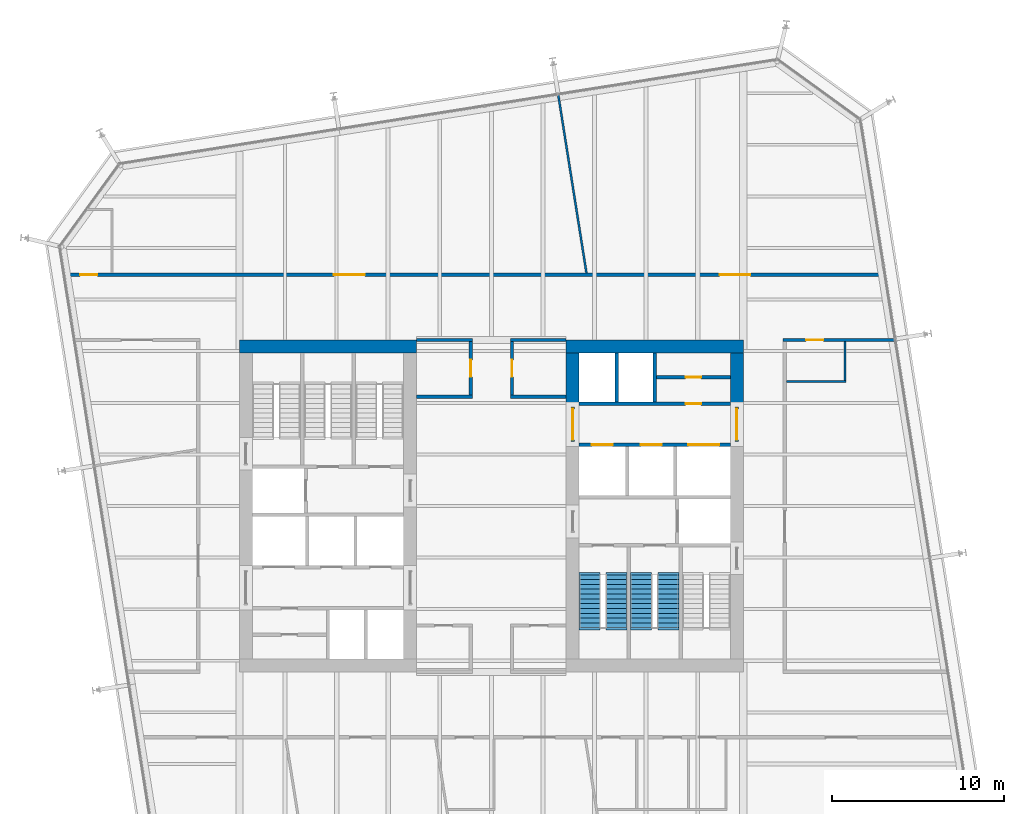
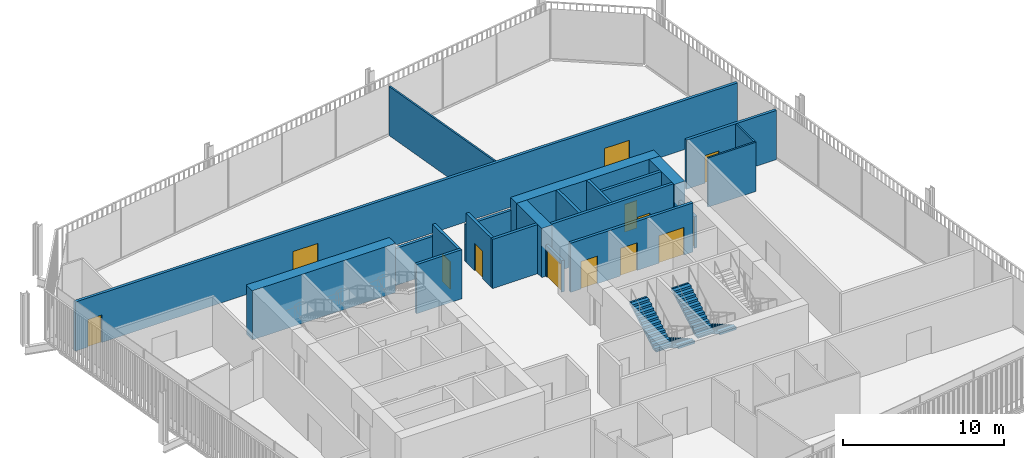
# One storey, part 19 of 21: 22 walls, 13 doors, 4 stair flights, 13 openings, 2 elements without a shape of their own.
"""IFC4 building model written with IfcOpenShell, lengths in metres."""

from ifc_helpers import new_model, si_unit, direction, frame, frame_2d, origin, place, context, subcontext, project, spatial, polyline, rectangle, outline, extrude, material, layer, layer_set, type_object, element, fill, aggregate, save


model = new_model("IFC4")

# Units and contexts
model_context = context("Model", 3, precision=1e-05, world=origin(), true_north=direction((0.0, 1.0)))
body_context = subcontext(model_context, "Body", "Model", "MODEL_VIEW")
ifc_project = project(units=[si_unit("LENGTHUNIT", "METRE"), si_unit("AREAUNIT", "SQUARE_METRE"), si_unit("VOLUMEUNIT", "CUBIC_METRE"), si_unit("PLANEANGLEUNIT", "RADIAN"), si_unit("MASSUNIT", "GRAM", prefix="KILO")], contexts=[model_context])

# Site, building, storey
site_placement = place(None, origin())
site = spatial("IfcSite", under=ifc_project, at=site_placement, CompositionType="ELEMENT")
building_placement = place(site_placement, origin())
building = spatial("IfcBuilding", under=site, at=building_placement, Name="Millrace Tower", CompositionType="ELEMENT")
storey_placement = place(building_placement, frame((0.0, 0.0, 149.0)))
storey = spatial("IfcBuildingStorey", under=building, at=storey_placement, Name="L33", CompositionType="ELEMENT", Elevation=149.0)

# Walls
ifc_material_1 = material(Name="Concrete C70", Category="concrete")
ifc_layer_1 = layer(ifc_material_1, 0.75)
ifc_layer_set_1 = layer_set([ifc_layer_1], Name="Concrete C70")
wall_type_1 = type_object("IfcWallType", Name="Core wall 750 Concrete C70", PredefinedType="SHEAR", material=ifc_layer_set_1)
for number, where, z_axis, x_axis, name in (
    (1, (-14.64990234375, 9.27490234375, 0.0), (0.0, 0.0, 1.0), (1.0, 0.0, 0.0), "Core wall W L33"),
    (2, (14.64990234375, 9.27490234375, 0.0), (0.0, 0.0, 1.0), (-1.0, 0.0, 0.0), "Core wall E L33"),
):
    element("IfcWall", number, at=place(storey_placement, frame(where, z_axis=z_axis, x_axis=x_axis)), inside=storey, type_object=wall_type_1, Name=name, PredefinedType="SHEAR", context=body_context, shape_type="SweptSolid", body=[
        extrude(rectangle(XDim=10.2998046875, YDim=0.75, at=frame_2d((5.14990234375, 0.0))), origin(), (0.0, 0.0, 1.0), 3.739990234375),
    ])
for number, where, z_axis, x_axis, name in (
    (3, (14.27490234375, 8.89990234375, 0.0), (0.0, 0.0, 1.0), (0.0, -1.0, 0.0), "Core wall E L33"),
    (4, (4.72509765625, 8.89990234375, 0.0), (0.0, 0.0, 1.0), (0.0, -1.0, 0.0), "Core wall E L33"),
):
    element("IfcWall", number, at=place(storey_placement, frame(where, z_axis=z_axis, x_axis=x_axis)), inside=storey, type_object=wall_type_1, Name=name, PredefinedType="SHEAR", context=body_context, shape_type="SweptSolid", body=[
        extrude(rectangle(XDim=3.14990234375, YDim=0.75, at=frame_2d((1.574951171875, 0.0))), origin(), (0.0, 0.0, 1.0), 3.739990234375),
    ])
ifc_material_2 = material(Name="Masonry partition, fire-rated", Category="masonry")
ifc_layer_2 = layer(ifc_material_2, 0.199951171875)
ifc_layer_set_2 = layer_set([ifc_layer_2], Name="Masonry partition, fire-rated")
wall_type_2 = type_object("IfcWallType", Name="Corridor wall 200", PredefinedType="PARTITIONING", material=ifc_layer_set_2)
for number, where, z_axis, x_axis, name in (
    (5, (-4.35009765625, 6.35009765625, 0.0), (0.0, 0.0, 1.0), (1.0, 0.0, 0.0), "Corridor wall L33"),
    (6, (1.10009765625, 6.35009765625, 0.0), (0.0, 0.0, 1.0), (1.0, 0.0, 0.0), "Corridor wall L33"),
):
    element("IfcWall", number, at=place(storey_placement, frame(where, z_axis=z_axis, x_axis=x_axis)), inside=storey, type_object=wall_type_2, Name=name, PredefinedType="PARTITIONING", context=body_context, shape_type="SweptSolid", body=[
        extrude(rectangle(XDim=3.25, YDim=0.199951171875, at=frame_2d((1.625, 0.0))), origin(), (0.0, 0.0, 1.0), 3.739990234375),
    ])
for number, where, z_axis, x_axis, name in (
    (7, (-4.35009765625, 9.64990234375, 0.0), (0.0, 0.0, 1.0), (1.0, 0.0, 0.0), "Corridor wall L33"),
    (8, (1.10009765625, 9.64990234375, 0.0), (0.0, 0.0, 1.0), (1.0, 0.0, 0.0), "Corridor wall L33"),
):
    element("IfcWall", number, at=place(storey_placement, frame(where, z_axis=z_axis, x_axis=x_axis)), inside=storey, type_object=wall_type_2, Name=name, PredefinedType="PARTITIONING", context=body_context, shape_type="SweptSolid", body=[
        extrude(rectangle(XDim=3.25, YDim=0.199951171875, at=frame_2d((1.625, 0.0))), origin(), (0.0, 0.0, 1.0), 2.81298828125),
    ])

# Wall, opening, door
wall_1_placement = place(storey_placement, frame((16.949951171875, 9.64990234375, 0.0), z_axis=(0.0, 0.0, 1.0), x_axis=(1.0, 0.0, 0.0)))
wall_1 = element("IfcWall", 9, at=wall_1_placement, inside=storey, type_object=wall_type_2, Name="Corridor wall L33", PredefinedType="PARTITIONING", context=body_context, shape_type="SweptSolid", body=[
    extrude(rectangle(XDim=6.489501953125, YDim=0.199951171875, at=frame_2d((3.24462890625, 0.0))), origin(), (0.0, 0.0, 1.0), 3.739990234375),
])
opening_1_placement = place(wall_1_placement, frame((1.35009765625, 0.0, 0.0)))
opening_1 = element("IfcOpeningElement", 10, at=opening_1_placement, cuts=wall_1, Name="Opening 33-P009", PredefinedType="OPENING", context=body_context, shape_type="SweptSolid", body=[
    extrude(rectangle(XDim=1.0, YDim=2.10009765625, at=frame_2d((0.5, 1.050048828125))), frame((0.0, 0.10986328125, 0.0), z_axis=(0.0, -1.0, 0.0), x_axis=(1.0, 0.0, 0.0)), (0.0, 0.0, 1.0), 0.219970703125),
])
ifc_material_3 = material(Name="Steel door set, fire-rated", Category="steel")
door_type_1 = type_object("IfcDoorType", Name="Corridor door 1000 x 2100", OperationType="SINGLE_SWING_LEFT", PredefinedType="DOOR", material=ifc_material_3)
door_1_placement = place(opening_1_placement, frame((1.0, 0.0, 0.0), z_axis=(0.0, 0.0, 1.0), x_axis=(-1.0, 0.0, 0.0)))
door_1 = element("IfcDoor", 11, at=door_1_placement, inside=storey, type_object=door_type_1, Name="Door 33-P009", OperationType="SINGLE_SWING_RIGHT", OverallHeight=2.10009765625, OverallWidth=1.0, PredefinedType="DOOR", context=body_context, shape_type="SweptSolid", body=[
    extrude(rectangle(XDim=1.0, YDim=2.10009765625, at=frame_2d((0.5, 1.050048828125))), frame((0.0, 0.02490234375, 0.0), z_axis=(0.0, -1.0, 0.0), x_axis=(1.0, 0.0, 0.0)), (0.0, 0.0, 1.0), 0.050048828125),
])
fill(opening_1, door_1)

# Wall, openings, doors
wall_2_placement = place(storey_placement, frame((-24.80908203125, 13.449951171875, 0.0), z_axis=(0.0, 0.0, 1.0), x_axis=(1.0, 0.0, 0.0)))
wall_2 = element("IfcWall", 12, at=wall_2_placement, inside=storey, type_object=wall_type_2, Name="Corridor wall L33", PredefinedType="PARTITIONING", context=body_context, shape_type="SweptSolid", body=[
    extrude(rectangle(XDim=47.646728515625, YDim=0.199951171875, at=frame_2d((23.8232421875, 0.0))), origin(), (0.0, 0.0, 1.0), 3.739990234375),
])
opening_2_placement = place(wall_2_placement, frame((15.652587890625, 0.0, 0.0)))
opening_2 = element("IfcOpeningElement", 13, at=opening_2_placement, cuts=wall_2, Name="Opening 33-P005", PredefinedType="OPENING", context=body_context, shape_type="SweptSolid", body=[
    extrude(rectangle(XDim=1.800048828125, YDim=2.10009765625, at=frame_2d((0.89990234375, 1.050048828125))), frame((0.0, 0.10986328125, 0.0), z_axis=(0.0, -1.0, 0.0), x_axis=(1.0, 0.0, 0.0)), (0.0, 0.0, 1.0), 0.219970703125),
])
opening_3_placement = place(wall_2_placement, frame((0.901123046875, 0.0, 0.0)))
opening_3 = element("IfcOpeningElement", 14, at=opening_3_placement, cuts=wall_2, Name="Opening 33-P006", PredefinedType="OPENING", context=body_context, shape_type="SweptSolid", body=[
    extrude(rectangle(XDim=1.0, YDim=2.10009765625, at=frame_2d((0.5, 1.050048828125))), frame((0.0, 0.10986328125, 0.0), z_axis=(0.0, -1.0, 0.0), x_axis=(1.0, 0.0, 0.0)), (0.0, 0.0, 1.0), 0.219970703125),
])
opening_4_placement = place(wall_2_placement, frame((38.074951171875, 0.0, 0.0)))
opening_4 = element("IfcOpeningElement", 15, at=opening_4_placement, cuts=wall_2, Name="Opening 33-P007", PredefinedType="OPENING", context=body_context, shape_type="SweptSolid", body=[
    extrude(rectangle(XDim=1.800048828125, YDim=2.10009765625, at=frame_2d((0.89990234375, 1.050048828125))), frame((0.0, 0.10986328125, 0.0), z_axis=(0.0, -1.0, 0.0), x_axis=(1.0, 0.0, 0.0)), (0.0, 0.0, 1.0), 0.219970703125),
])
door_2_placement = place(opening_3_placement, origin())
door_2 = element("IfcDoor", 16, at=door_2_placement, inside=storey, type_object=door_type_1, Name="Door 33-P006", OperationType="SINGLE_SWING_LEFT", OverallHeight=2.10009765625, OverallWidth=1.0, PredefinedType="DOOR", context=body_context, shape_type="SweptSolid", body=[
    extrude(rectangle(XDim=1.0, YDim=2.10009765625, at=frame_2d((0.5, 1.050048828125))), frame((0.0, 0.02490234375, 0.0), z_axis=(0.0, -1.0, 0.0), x_axis=(1.0, 0.0, 0.0)), (0.0, 0.0, 1.0), 0.050048828125),
])
fill(opening_3, door_2)
ifc_material_4 = material(Name="Steel door set, fire-rated", Category="steel")
door_type_2 = type_object("IfcDoorType", Name="Corridor door 1800 x 2100", OperationType="DOUBLE_DOOR_SINGLE_SWING", PredefinedType="DOOR", material=ifc_material_4)
door_3_placement = place(opening_2_placement, frame((1.800048828125, 0.0, 0.0), z_axis=(0.0, 0.0, 1.0), x_axis=(-1.0, 0.0, 0.0)))
door_3 = element("IfcDoor", 17, at=door_3_placement, inside=storey, type_object=door_type_2, Name="Door 33-P005", OperationType="DOUBLE_DOOR_SINGLE_SWING", OverallHeight=2.10009765625, OverallWidth=1.800048828125, PredefinedType="DOOR", context=body_context, shape_type="SweptSolid", body=[
    extrude(rectangle(XDim=1.800048828125, YDim=2.10009765625, at=frame_2d((0.89990234375, 1.050048828125))), frame((0.0, 0.02490234375, 0.0), z_axis=(0.0, -1.0, 0.0), x_axis=(1.0, 0.0, 0.0)), (0.0, 0.0, 1.0), 0.050048828125),
])
fill(opening_2, door_3)
door_4_placement = place(opening_4_placement, frame((1.800048828125, 0.0, 0.0), z_axis=(0.0, 0.0, 1.0), x_axis=(-1.0, 0.0, 0.0)))
door_4 = element("IfcDoor", 18, at=door_4_placement, inside=storey, type_object=door_type_2, Name="Door 33-P007", OperationType="DOUBLE_DOOR_SINGLE_SWING", OverallHeight=2.10009765625, OverallWidth=1.800048828125, PredefinedType="DOOR", context=body_context, shape_type="SweptSolid", body=[
    extrude(rectangle(XDim=1.800048828125, YDim=2.10009765625, at=frame_2d((0.89990234375, 1.050048828125))), frame((0.0, 0.02490234375, 0.0), z_axis=(0.0, -1.0, 0.0), x_axis=(1.0, 0.0, 0.0)), (0.0, 0.0, 1.0), 0.050048828125),
])
fill(opening_4, door_4)

# Wall, opening, door
wall_3_placement = place(storey_placement, frame((1.199951171875, 6.449951171875, 0.0), z_axis=(0.0, 0.0, 1.0), x_axis=(0.0, 1.0, 0.0)))
wall_3 = element("IfcWall", 19, at=wall_3_placement, inside=storey, type_object=wall_type_2, Name="Corridor wall L33", PredefinedType="PARTITIONING", context=body_context, shape_type="SweptSolid", body=[
    extrude(rectangle(XDim=3.10009765625, YDim=0.199951171875, at=frame_2d((1.550048828125, 0.0))), origin(), (0.0, 0.0, 1.0), 3.739990234375),
])
opening_5_placement = place(wall_3_placement, frame((1.050048828125, 0.0, 0.0)))
opening_5 = element("IfcOpeningElement", 20, at=opening_5_placement, cuts=wall_3, Name="Opening 33-P002", PredefinedType="OPENING", context=body_context, shape_type="SweptSolid", body=[
    extrude(rectangle(XDim=1.0, YDim=2.10009765625, at=frame_2d((0.5, 1.050048828125))), frame((0.0, 0.10986328125, 0.0), z_axis=(0.0, -1.0, 0.0), x_axis=(1.0, 0.0, 0.0)), (0.0, 0.0, 1.0), 0.219970703125),
])
door_5_placement = place(opening_5_placement, frame((1.0, 0.0, 0.0), z_axis=(0.0, 0.0, 1.0), x_axis=(-1.0, 0.0, 0.0)))
door_5 = element("IfcDoor", 21, at=door_5_placement, inside=storey, type_object=door_type_1, Name="Door 33-P002", OperationType="SINGLE_SWING_LEFT", OverallHeight=2.10009765625, OverallWidth=1.0, PredefinedType="DOOR", context=body_context, shape_type="SweptSolid", body=[
    extrude(rectangle(XDim=1.0, YDim=2.10009765625, at=frame_2d((0.5, 1.050048828125))), frame((0.0, 0.02490234375, 0.0), z_axis=(0.0, -1.0, 0.0), x_axis=(1.0, 0.0, 0.0)), (0.0, 0.0, 1.0), 0.050048828125),
])
fill(opening_5, door_5)

wall_4_placement = place(storey_placement, frame((-1.199951171875, 6.449951171875, 0.0), z_axis=(0.0, 0.0, 1.0), x_axis=(0.0, 1.0, 0.0)))
wall_4 = element("IfcWall", 22, at=wall_4_placement, inside=storey, type_object=wall_type_2, Name="Corridor wall L33", PredefinedType="PARTITIONING", context=body_context, shape_type="SweptSolid", body=[
    extrude(rectangle(XDim=3.10009765625, YDim=0.199951171875, at=frame_2d((1.550048828125, 0.0))), origin(), (0.0, 0.0, 1.0), 3.739990234375),
])
opening_6_placement = place(wall_4_placement, frame((1.050048828125, 0.0, 0.0)))
opening_6 = element("IfcOpeningElement", 23, at=opening_6_placement, cuts=wall_4, Name="Opening 33-P001", PredefinedType="OPENING", context=body_context, shape_type="SweptSolid", body=[
    extrude(rectangle(XDim=1.0, YDim=2.10009765625, at=frame_2d((0.5, 1.050048828125))), frame((0.0, 0.10986328125, 0.0), z_axis=(0.0, -1.0, 0.0), x_axis=(1.0, 0.0, 0.0)), (0.0, 0.0, 1.0), 0.219970703125),
])
door_6_placement = place(opening_6_placement, origin())
door_6 = element("IfcDoor", 24, at=door_6_placement, inside=storey, type_object=door_type_1, Name="Door 33-P001", OperationType="SINGLE_SWING_RIGHT", OverallHeight=2.10009765625, OverallWidth=1.0, PredefinedType="DOOR", context=body_context, shape_type="SweptSolid", body=[
    extrude(rectangle(XDim=1.0, YDim=2.10009765625, at=frame_2d((0.5, 1.050048828125))), frame((0.0, 0.02490234375, 0.0), z_axis=(0.0, -1.0, 0.0), x_axis=(1.0, 0.0, 0.0)), (0.0, 0.0, 1.0), 0.050048828125),
])
fill(opening_6, door_6)

ifc_material_5 = material(Name="Masonry partition, fire-rated", Category="masonry")
ifc_layer_3 = layer(ifc_material_5, 0.199951171875)
ifc_layer_set_3 = layer_set([ifc_layer_3], Name="Masonry partition, fire-rated")
wall_type_3 = type_object("IfcWallType", Name="Lift shaft wall 200", PredefinedType="PARTITIONING", material=ifc_layer_set_3)
wall_5_placement = place(storey_placement, frame((13.89990234375, 5.949951171875, 0.0), z_axis=(0.0, 0.0, 1.0), x_axis=(-1.0, 0.0, 0.0)))
wall_5 = element("IfcWall", 25, at=wall_5_placement, inside=storey, type_object=wall_type_3, Name="Lift shaft wall E L33", PredefinedType="PARTITIONING", context=body_context, shape_type="SweptSolid", body=[
    extrude(rectangle(XDim=8.7998046875, YDim=0.199951171875, at=frame_2d((4.39990234375, 0.0))), origin(), (0.0, 0.0, 1.0), 3.739990234375),
])
opening_7_placement = place(wall_5_placement, frame((1.699951171875, 0.0, 0.0)))
opening_7 = element("IfcOpeningElement", 26, at=opening_7_placement, cuts=wall_5, Name="Opening 33-C013", PredefinedType="OPENING", context=body_context, shape_type="SweptSolid", body=[
    extrude(rectangle(XDim=0.89990234375, YDim=2.10009765625, at=frame_2d((0.449951171875, 1.050048828125))), frame((0.0, 0.10986328125, 0.0), z_axis=(0.0, -1.0, 0.0), x_axis=(1.0, 0.0, 0.0)), (0.0, 0.0, 1.0), 0.219970703125),
])
ifc_material_6 = material(Name="Steel door, fire-rated", Category="steel")
door_type_3 = type_object("IfcDoorType", Name="Service room door 900 x 2100", OperationType="SINGLE_SWING_LEFT", PredefinedType="DOOR", material=ifc_material_6)
door_7_placement = place(opening_7_placement, origin())
door_7 = element("IfcDoor", 27, at=door_7_placement, inside=storey, type_object=door_type_3, Name="Service room door 33-C013", OperationType="SINGLE_SWING_LEFT", OverallHeight=2.10009765625, OverallWidth=0.89990234375, PredefinedType="DOOR", context=body_context, shape_type="SweptSolid", body=[
    extrude(rectangle(XDim=0.89990234375, YDim=2.10009765625, at=frame_2d((0.449951171875, 1.050048828125))), frame((0.0, 0.02490234375, 0.0), z_axis=(0.0, -1.0, 0.0), x_axis=(1.0, 0.0, 0.0)), (0.0, 0.0, 1.0), 0.050048828125),
])
fill(opening_7, door_7)

# Wall, openings, doors
wall_6_placement = place(storey_placement, frame((13.89990234375, 3.550048828125, 0.0), z_axis=(0.0, 0.0, 1.0), x_axis=(-1.0, 0.0, 0.0)))
wall_6 = element("IfcWall", 28, at=wall_6_placement, inside=storey, type_object=wall_type_3, Name="Lift shaft wall E L33", PredefinedType="PARTITIONING", context=body_context, shape_type="SweptSolid", body=[
    extrude(rectangle(XDim=8.7998046875, YDim=0.199951171875, at=frame_2d((4.39990234375, 0.0))), origin(), (0.0, 0.0, 1.0), 3.739990234375),
])
opening_8_placement = place(wall_6_placement, frame((0.64990234375, 0.0, 0.0)))
opening_8 = element("IfcOpeningElement", 29, at=opening_8_placement, cuts=wall_6, Name="Opening 33-LD13", PredefinedType="OPENING", context=body_context, shape_type="SweptSolid", body=[
    extrude(rectangle(XDim=1.800048828125, YDim=2.10009765625, at=frame_2d((0.89990234375, 1.050048828125))), frame((0.0, 0.10986328125, 0.0), z_axis=(0.0, -1.0, 0.0), x_axis=(1.0, 0.0, 0.0)), (0.0, 0.0, 1.0), 0.219970703125),
])
opening_9_placement = place(wall_6_placement, frame((4.0, 0.0, 0.0)))
opening_9 = element("IfcOpeningElement", 30, at=opening_9_placement, cuts=wall_6, Name="Opening 33-LD14", PredefinedType="OPENING", context=body_context, shape_type="SweptSolid", body=[
    extrude(rectangle(XDim=1.199951171875, YDim=2.10009765625, at=frame_2d((0.60009765625, 1.050048828125))), frame((0.0, 0.10986328125, 0.0), z_axis=(0.0, -1.0, 0.0), x_axis=(1.0, 0.0, 0.0)), (0.0, 0.0, 1.0), 0.219970703125),
])
opening_10_placement = place(wall_6_placement, frame((6.85009765625, 0.0, 0.0)))
opening_10 = element("IfcOpeningElement", 31, at=opening_10_placement, cuts=wall_6, Name="Opening 33-LD15", PredefinedType="OPENING", context=body_context, shape_type="SweptSolid", body=[
    extrude(rectangle(XDim=1.199951171875, YDim=2.10009765625, at=frame_2d((0.60009765625, 1.050048828125))), frame((0.0, 0.10986328125, 0.0), z_axis=(0.0, -1.0, 0.0), x_axis=(1.0, 0.0, 0.0)), (0.0, 0.0, 1.0), 0.219970703125),
])
ifc_material_7 = material(Name="Stainless steel, fire-rated", Category="steel")
door_type_4 = type_object("IfcDoorType", Name="Lift landing door 1200 x 2100", OperationType="DOUBLE_DOOR_SLIDING", PredefinedType="DOOR", material=ifc_material_7)
door_8_placement = place(opening_9_placement, origin())
door_8 = element("IfcDoor", 32, at=door_8_placement, inside=storey, type_object=door_type_4, Name="Lift landing door LF14 L33", OperationType="DOUBLE_DOOR_SLIDING", OverallHeight=2.10009765625, OverallWidth=1.199951171875, PredefinedType="DOOR", context=body_context, shape_type="SweptSolid", body=[
    extrude(rectangle(XDim=1.199951171875, YDim=2.10009765625, at=frame_2d((0.60009765625, 1.050048828125))), frame((0.0, 0.02490234375, 0.0), z_axis=(0.0, -1.0, 0.0), x_axis=(1.0, 0.0, 0.0)), (0.0, 0.0, 1.0), 0.050048828125),
])
fill(opening_9, door_8)
door_9_placement = place(opening_10_placement, origin())
door_9 = element("IfcDoor", 33, at=door_9_placement, inside=storey, type_object=door_type_4, Name="Lift landing door LF15 L33", OperationType="DOUBLE_DOOR_SLIDING", OverallHeight=2.10009765625, OverallWidth=1.199951171875, PredefinedType="DOOR", context=body_context, shape_type="SweptSolid", body=[
    extrude(rectangle(XDim=1.199951171875, YDim=2.10009765625, at=frame_2d((0.60009765625, 1.050048828125))), frame((0.0, 0.02490234375, 0.0), z_axis=(0.0, -1.0, 0.0), x_axis=(1.0, 0.0, 0.0)), (0.0, 0.0, 1.0), 0.050048828125),
])
fill(opening_10, door_9)
ifc_material_8 = material(Name="Stainless steel, fire-rated", Category="steel")
door_type_5 = type_object("IfcDoorType", Name="Lift landing door 1800 x 2100", OperationType="DOUBLE_DOOR_SLIDING", PredefinedType="DOOR", material=ifc_material_8)
door_10_placement = place(opening_8_placement, origin())
door_10 = element("IfcDoor", 34, at=door_10_placement, inside=storey, type_object=door_type_5, Name="Lift landing door LF13 L33", OperationType="DOUBLE_DOOR_SLIDING", OverallHeight=2.10009765625, OverallWidth=1.800048828125, PredefinedType="DOOR", context=body_context, shape_type="SweptSolid", body=[
    extrude(rectangle(XDim=1.800048828125, YDim=2.10009765625, at=frame_2d((0.89990234375, 1.050048828125))), frame((0.0, 0.02490234375, 0.0), z_axis=(0.0, -1.0, 0.0), x_axis=(1.0, 0.0, 0.0)), (0.0, 0.0, 1.0), 0.050048828125),
])
fill(opening_8, door_10)

# Walls
for number, where, z_axis, x_axis, name in (
    (35, (9.5, 8.89990234375, 0.0), (0.0, 0.0, 1.0), (0.0, -1.0, 0.0), "Lift shaft wall E L33"),
    (36, (7.300048828125, 8.89990234375, 0.0), (0.0, 0.0, 1.0), (0.0, -1.0, 0.0), "Lift shaft wall E L33"),
):
    element("IfcWall", number, at=place(storey_placement, frame(where, z_axis=z_axis, x_axis=x_axis)), inside=storey, type_object=wall_type_3, Name=name, PredefinedType="PARTITIONING", context=body_context, shape_type="SweptSolid", body=[
        extrude(rectangle(XDim=2.849853515625, YDim=0.199951171875, at=frame_2d((1.4248046875, 0.0))), origin(), (0.0, 0.0, 1.0), 3.739990234375),
    ])

# Wall, opening, door
ifc_material_9 = material(Name="Masonry partition, fire-rated", Category="masonry")
ifc_layer_4 = layer(ifc_material_9, 0.199951171875)
ifc_layer_set_4 = layer_set([ifc_layer_4], Name="Masonry partition, fire-rated")
wall_type_4 = type_object("IfcWallType", Name="Lobby wall 200", PredefinedType="PARTITIONING", material=ifc_layer_set_4)
wall_7_placement = place(storey_placement, frame((14.27490234375, 5.75, 0.0), z_axis=(0.0, 0.0, 1.0), x_axis=(0.0, -1.0, 0.0)))
wall_7 = element("IfcWall", 37, at=wall_7_placement, inside=storey, type_object=wall_type_4, Name="Lobby wall E L33", PredefinedType="PARTITIONING", context=body_context, shape_type="SweptSolid", body=[
    extrude(rectangle(XDim=2.0, YDim=0.199951171875, at=frame_2d((1.0, 0.0))), origin(), (0.0, 0.0, 1.0), 2.39990234375),
])
opening_11_placement = place(wall_7_placement, frame((0.10009765625, 0.0, 0.0)))
opening_11 = element("IfcOpeningElement", 38, at=opening_11_placement, cuts=wall_7, Name="Opening 33-C009", PredefinedType="OPENING", context=body_context, shape_type="SweptSolid", body=[
    extrude(rectangle(XDim=1.800048828125, YDim=2.10009765625, at=frame_2d((0.89990234375, 1.050048828125))), frame((0.0, 0.10986328125, 0.0), z_axis=(0.0, -1.0, 0.0), x_axis=(1.0, 0.0, 0.0)), (0.0, 0.0, 1.0), 0.219970703125),
])
ifc_material_10 = material(Name="Steel door, fire-rated", Category="steel")
door_type_6 = type_object("IfcDoorType", Name="Lobby door 1800 x 2100", OperationType="DOUBLE_DOOR_SINGLE_SWING", PredefinedType="DOOR", material=ifc_material_10)
door_11_placement = place(opening_11_placement, origin())
door_11 = element("IfcDoor", 39, at=door_11_placement, inside=storey, type_object=door_type_6, Name="Lobby door 33-C009", OperationType="DOUBLE_DOOR_SINGLE_SWING", OverallHeight=2.10009765625, OverallWidth=1.800048828125, PredefinedType="DOOR", context=body_context, shape_type="SweptSolid", body=[
    extrude(rectangle(XDim=1.800048828125, YDim=2.10009765625, at=frame_2d((0.89990234375, 1.050048828125))), frame((0.0, 0.02490234375, 0.0), z_axis=(0.0, -1.0, 0.0), x_axis=(1.0, 0.0, 0.0)), (0.0, 0.0, 1.0), 0.050048828125),
])
fill(opening_11, door_11)

wall_8_placement = place(storey_placement, frame((4.72509765625, 5.75, 0.0), z_axis=(0.0, 0.0, 1.0), x_axis=(0.0, -1.0, 0.0)))
wall_8 = element("IfcWall", 40, at=wall_8_placement, inside=storey, type_object=wall_type_4, Name="Lobby wall E L33", PredefinedType="PARTITIONING", context=body_context, shape_type="SweptSolid", body=[
    extrude(rectangle(XDim=2.0, YDim=0.199951171875, at=frame_2d((1.0, 0.0))), origin(), (0.0, 0.0, 1.0), 2.39990234375),
])
opening_12_placement = place(wall_8_placement, frame((0.10009765625, 0.0, 0.0)))
opening_12 = element("IfcOpeningElement", 41, at=opening_12_placement, cuts=wall_8, Name="Opening 33-C011", PredefinedType="OPENING", context=body_context, shape_type="SweptSolid", body=[
    extrude(rectangle(XDim=1.800048828125, YDim=2.10009765625, at=frame_2d((0.89990234375, 1.050048828125))), frame((0.0, 0.10986328125, 0.0), z_axis=(0.0, -1.0, 0.0), x_axis=(1.0, 0.0, 0.0)), (0.0, 0.0, 1.0), 0.219970703125),
])
door_12_placement = place(opening_12_placement, origin())
door_12 = element("IfcDoor", 42, at=door_12_placement, inside=storey, type_object=door_type_6, Name="Lobby door 33-C011", OperationType="DOUBLE_DOOR_SINGLE_SWING", OverallHeight=2.10009765625, OverallWidth=1.800048828125, PredefinedType="DOOR", context=body_context, shape_type="SweptSolid", body=[
    extrude(rectangle(XDim=1.800048828125, YDim=2.10009765625, at=frame_2d((0.89990234375, 1.050048828125))), frame((0.0, 0.02490234375, 0.0), z_axis=(0.0, -1.0, 0.0), x_axis=(1.0, 0.0, 0.0)), (0.0, 0.0, 1.0), 0.050048828125),
])
fill(opening_12, door_12)

# Walls
ifc_material_11 = material(Name="Gypsum board partition")
ifc_layer_5 = layer(ifc_material_11, 0.1201171875)
ifc_layer_set_5 = layer_set([ifc_layer_5], Name="Gypsum board partition")
wall_type_5 = type_object("IfcWallType", Name="Partition wall 120", PredefinedType="PARTITIONING", material=ifc_layer_set_5)
wall_9_placement = place(storey_placement, frame((3.89013671875, 23.8994140625, 0.0), z_axis=(0.0, 0.0, 1.0), x_axis=(0.156414767056, -0.987691460248, 0.0)))
element("IfcWall", 43, at=wall_9_placement, inside=storey, type_object=wall_type_5, Name="Partition wall L33", PredefinedType="PARTITIONING", context=body_context, shape_type="SweptSolid", body=[
    extrude(rectangle(XDim=10.4794921875, YDim=0.1201171875, at=frame_2d((5.23974609375, 0.0))), origin(), (0.0, 0.0, 1.0), 3.739990234375),
])
wall_10_placement = place(storey_placement, frame((17.14990234375, 7.25, 0.0), z_axis=(0.0, 0.0, 1.0), x_axis=(1.0, 0.0, 0.0)))
element("IfcWall", 44, at=wall_10_placement, inside=storey, type_object=wall_type_5, Name="Partition wall L33", PredefinedType="PARTITIONING", context=body_context, shape_type="SweptSolid", body=[
    extrude(rectangle(XDim=3.460205078125, YDim=0.1201171875, at=frame_2d((1.72998046875, 0.0))), origin(), (0.0, 0.0, 1.0), 3.739990234375),
])
wall_11_placement = place(storey_placement, frame((20.550048828125, 7.31005859375, 0.0), z_axis=(0.0, 0.0, 1.0), x_axis=(0.0, 1.0, 0.0)))
element("IfcWall", 45, at=wall_11_placement, inside=storey, type_object=wall_type_5, Name="Partition wall L33", PredefinedType="PARTITIONING", context=body_context, shape_type="SweptSolid", body=[
    extrude(rectangle(XDim=2.239990234375, YDim=0.1201171875, at=frame_2d((1.1201171875, 0.0))), origin(), (0.0, 0.0, 1.0), 3.739990234375),
])

# Wall, opening, door
ifc_material_12 = material(Name="Masonry partition, fire-rated", Category="masonry")
ifc_layer_6 = layer(ifc_material_12, 0.199951171875)
ifc_layer_set_6 = layer_set([ifc_layer_6], Name="Masonry partition, fire-rated")
wall_type_6 = type_object("IfcWallType", Name="Room partition 200", PredefinedType="PARTITIONING", material=ifc_layer_set_6)
wall_12_placement = place(storey_placement, frame((13.89990234375, 7.47509765625, 0.0), z_axis=(0.0, 0.0, 1.0), x_axis=(-1.0, 0.0, 0.0)))
wall_12 = element("IfcWall", 46, at=wall_12_placement, inside=storey, type_object=wall_type_6, Name="Room partition E L33", PredefinedType="PARTITIONING", context=body_context, shape_type="SweptSolid", body=[
    extrude(rectangle(XDim=4.2998046875, YDim=0.199951171875, at=frame_2d((2.14990234375, 0.0))), origin(), (0.0, 0.0, 1.0), 3.739990234375),
])
opening_13_placement = place(wall_12_placement, frame((1.699951171875, 0.0, 0.0)))
opening_13 = element("IfcOpeningElement", 47, at=opening_13_placement, cuts=wall_12, Name="Opening 33-C014", PredefinedType="OPENING", context=body_context, shape_type="SweptSolid", body=[
    extrude(rectangle(XDim=0.89990234375, YDim=2.10009765625, at=frame_2d((0.449951171875, 1.050048828125))), frame((0.0, 0.10986328125, 0.0), z_axis=(0.0, -1.0, 0.0), x_axis=(1.0, 0.0, 0.0)), (0.0, 0.0, 1.0), 0.219970703125),
])
door_13_placement = place(opening_13_placement, frame((0.89990234375, 0.0, 0.0), z_axis=(0.0, 0.0, 1.0), x_axis=(-1.0, 0.0, 0.0)))
door_13 = element("IfcDoor", 48, at=door_13_placement, inside=storey, type_object=door_type_3, Name="Service room door 33-C014", OperationType="SINGLE_SWING_LEFT", OverallHeight=2.10009765625, OverallWidth=0.89990234375, PredefinedType="DOOR", context=body_context, shape_type="SweptSolid", body=[
    extrude(rectangle(XDim=0.89990234375, YDim=2.10009765625, at=frame_2d((0.449951171875, 1.050048828125))), frame((0.0, 0.02490234375, 0.0), z_axis=(0.0, -1.0, 0.0), x_axis=(1.0, 0.0, 0.0)), (0.0, 0.0, 1.0), 0.050048828125),
])
fill(opening_13, door_13)

# Stair, stair flights
ifc_material_13 = material(Name="Concrete C35", Category="concrete")
stair_type = type_object("IfcStairType", Name="Exit stair", PredefinedType="HALF_TURN_STAIR", material=ifc_material_13)
placement = place(storey_placement, origin())
stair_1 = element("IfcStair", 49, at=placement, inside=storey, type_object=stair_type, Name="Stair 2 E L33", PredefinedType="HALF_TURN_STAIR")
ifc_material_14 = material(Name="Concrete C35", Category="concrete")
stair_flight_type = type_object("IfcStairFlightType", Name="Exit stair flight", PredefinedType="STRAIGHT", material=ifc_material_14)
stair_flight_1_placement = place(storey_placement, frame((10.2900390625, -4.0, 0.0), z_axis=(0.0, 0.0, 1.0), x_axis=(0.0, -1.0, 0.0)))
stair_flight_1 = element("IfcStairFlight", 50, at=stair_flight_1_placement, type_object=stair_flight_type, Name="ST12 flight 1", NumberOfRisers=12, NumberOfTreads=11, PredefinedType="STRAIGHT", RiserHeight=0.1625, TreadLength=0.28, context=body_context, shape_type="SweptSolid", body=[
    extrude(outline(polyline([(-0.1201171875, -0.0400390625), (-0.1201171875, 0.0), (0.0, 0.0), (0.0, 0.16259765625), (0.280029296875, 0.16259765625), (0.280029296875, 0.324951171875), (0.56005859375, 0.324951171875), (0.56005859375, 0.487548828125), (0.840087890625, 0.487548828125), (0.840087890625, 0.64990234375), (1.1201171875, 0.64990234375), (1.1201171875, 0.8125), (1.39990234375, 0.8125), (1.39990234375, 0.97509765625), (1.679931640625, 0.97509765625), (1.679931640625, 1.137451171875), (1.9599609375, 1.137451171875), (1.9599609375, 1.300048828125), (2.239990234375, 1.300048828125), (2.239990234375, 1.46240234375), (2.52001953125, 1.46240234375), (2.52001953125, 1.625), (2.800048828125, 1.625), (2.800048828125, 1.78759765625), (3.080078125, 1.78759765625), (3.080078125, 1.8076171875), (3.199951171875, 1.8076171875), (3.199951171875, 1.6142578125), (3.080078125, 1.6142578125), (0.298583984375, 0.0), (0.298583984375, -0.0400390625), (-0.1201171875, -0.0400390625)])), frame((0.0, 0.60986328125, 0.0), z_axis=(0.0, -1.0, 0.0), x_axis=(1.0, 0.0, 0.0)), (0.0, 0.0, 1.0), 1.219970703125),
])
stair_flight_2_placement = place(storey_placement, frame((8.7099609375, -7.080078125, 1.949951171875), z_axis=(0.0, 0.0, 1.0), x_axis=(0.0, 1.0, 0.0)))
stair_flight_2 = element("IfcStairFlight", 51, at=stair_flight_2_placement, type_object=stair_flight_type, Name="ST12 flight 2", NumberOfRisers=12, NumberOfTreads=11, PredefinedType="STRAIGHT", RiserHeight=0.1625, TreadLength=0.28, context=body_context, shape_type="SweptSolid", body=[
    extrude(outline(polyline([(-0.1201171875, -0.0400390625), (-0.1201171875, 0.0), (0.0, 0.0), (0.0, 0.16259765625), (0.280029296875, 0.16259765625), (0.280029296875, 0.324951171875), (0.56005859375, 0.324951171875), (0.56005859375, 0.487548828125), (0.840087890625, 0.487548828125), (0.840087890625, 0.64990234375), (1.1201171875, 0.64990234375), (1.1201171875, 0.8125), (1.39990234375, 0.8125), (1.39990234375, 0.97509765625), (1.679931640625, 0.97509765625), (1.679931640625, 1.137451171875), (1.9599609375, 1.137451171875), (1.9599609375, 1.300048828125), (2.239990234375, 1.300048828125), (2.239990234375, 1.46240234375), (2.52001953125, 1.46240234375), (2.52001953125, 1.625), (2.800048828125, 1.625), (2.800048828125, 1.78759765625), (3.080078125, 1.78759765625), (3.080078125, 1.8076171875), (3.199951171875, 1.8076171875), (3.199951171875, 1.6142578125), (3.080078125, 1.6142578125), (0.298583984375, 0.0), (0.298583984375, -0.0400390625), (-0.1201171875, -0.0400390625)])), frame((0.0, 0.60986328125, 0.0), z_axis=(0.0, -1.0, 0.0), x_axis=(1.0, 0.0, 0.0)), (0.0, 0.0, 1.0), 1.219970703125),
])
aggregate(stair_1, [stair_flight_1, stair_flight_2])

stair_2 = element("IfcStair", 52, at=placement, inside=storey, type_object=stair_type, Name="Stair 3 E L33", PredefinedType="HALF_TURN_STAIR")
stair_flight_3_placement = place(storey_placement, frame((7.2900390625, -4.0, 0.0), z_axis=(0.0, 0.0, 1.0), x_axis=(0.0, -1.0, 0.0)))
stair_flight_3 = element("IfcStairFlight", 53, at=stair_flight_3_placement, type_object=stair_flight_type, Name="ST12 flight 1", NumberOfRisers=12, NumberOfTreads=11, PredefinedType="STRAIGHT", RiserHeight=0.1625, TreadLength=0.28, context=body_context, shape_type="SweptSolid", body=[
    extrude(outline(polyline([(-0.1201171875, -0.0400390625), (-0.1201171875, 0.0), (0.0, 0.0), (0.0, 0.16259765625), (0.280029296875, 0.16259765625), (0.280029296875, 0.324951171875), (0.56005859375, 0.324951171875), (0.56005859375, 0.487548828125), (0.840087890625, 0.487548828125), (0.840087890625, 0.64990234375), (1.1201171875, 0.64990234375), (1.1201171875, 0.8125), (1.39990234375, 0.8125), (1.39990234375, 0.97509765625), (1.679931640625, 0.97509765625), (1.679931640625, 1.137451171875), (1.9599609375, 1.137451171875), (1.9599609375, 1.300048828125), (2.239990234375, 1.300048828125), (2.239990234375, 1.46240234375), (2.52001953125, 1.46240234375), (2.52001953125, 1.625), (2.800048828125, 1.625), (2.800048828125, 1.78759765625), (3.080078125, 1.78759765625), (3.080078125, 1.8076171875), (3.199951171875, 1.8076171875), (3.199951171875, 1.6142578125), (3.080078125, 1.6142578125), (0.298583984375, 0.0), (0.298583984375, -0.0400390625), (-0.1201171875, -0.0400390625)])), frame((0.0, 0.60986328125, 0.0), z_axis=(0.0, -1.0, 0.0), x_axis=(1.0, 0.0, 0.0)), (0.0, 0.0, 1.0), 1.219970703125),
])
stair_flight_4_placement = place(storey_placement, frame((5.7099609375, -7.080078125, 1.949951171875), z_axis=(0.0, 0.0, 1.0), x_axis=(0.0, 1.0, 0.0)))
stair_flight_4 = element("IfcStairFlight", 54, at=stair_flight_4_placement, type_object=stair_flight_type, Name="ST12 flight 2", NumberOfRisers=12, NumberOfTreads=11, PredefinedType="STRAIGHT", RiserHeight=0.1625, TreadLength=0.28, context=body_context, shape_type="SweptSolid", body=[
    extrude(outline(polyline([(-0.1201171875, -0.0400390625), (-0.1201171875, 0.0), (0.0, 0.0), (0.0, 0.16259765625), (0.280029296875, 0.16259765625), (0.280029296875, 0.324951171875), (0.56005859375, 0.324951171875), (0.56005859375, 0.487548828125), (0.840087890625, 0.487548828125), (0.840087890625, 0.64990234375), (1.1201171875, 0.64990234375), (1.1201171875, 0.8125), (1.39990234375, 0.8125), (1.39990234375, 0.97509765625), (1.679931640625, 0.97509765625), (1.679931640625, 1.137451171875), (1.9599609375, 1.137451171875), (1.9599609375, 1.300048828125), (2.239990234375, 1.300048828125), (2.239990234375, 1.46240234375), (2.52001953125, 1.46240234375), (2.52001953125, 1.625), (2.800048828125, 1.625), (2.800048828125, 1.78759765625), (3.080078125, 1.78759765625), (3.080078125, 1.8076171875), (3.199951171875, 1.8076171875), (3.199951171875, 1.6142578125), (3.080078125, 1.6142578125), (0.298583984375, 0.0), (0.298583984375, -0.0400390625), (-0.1201171875, -0.0400390625)])), frame((0.0, 0.60986328125, 0.0), z_axis=(0.0, -1.0, 0.0), x_axis=(1.0, 0.0, 0.0)), (0.0, 0.0, 1.0), 1.219970703125),
])
aggregate(stair_2, [stair_flight_3, stair_flight_4])

save(model, "model.ifc")
